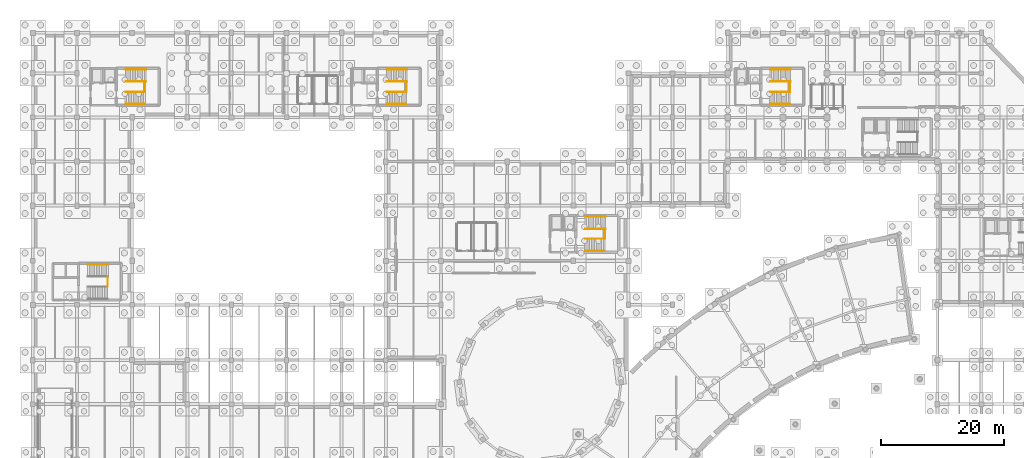
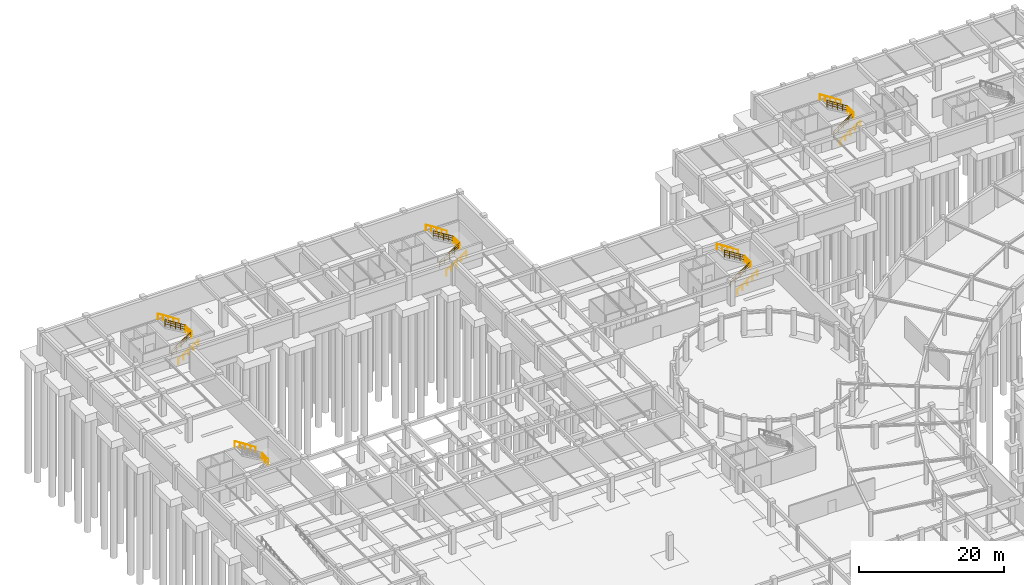
# One storey, part 40 of 42: 22 railings.
"""IFC4 building model written with IfcOpenShell, lengths in metres."""

from ifc_helpers import new_model, si_unit, direction, frame, origin, origin_2d, place, context, subcontext, project, spatial, circle, extrude, material, type_object, element, save


model = new_model("IFC4")

# Units and contexts
model_context = context("Model", 3, precision=1e-05, world=origin(), true_north=direction((0.0, 1.0)))
body_context = subcontext(model_context, "Body", "Model", "MODEL_VIEW")
ifc_project = project(units=[si_unit("LENGTHUNIT", "METRE"), si_unit("AREAUNIT", "SQUARE_METRE"), si_unit("VOLUMEUNIT", "CUBIC_METRE"), si_unit("PLANEANGLEUNIT", "RADIAN"), si_unit("MASSUNIT", "GRAM", prefix="KILO")], contexts=[model_context])

# Site, building, storey
site_placement = place(None, origin())
site = spatial("IfcSite", under=ifc_project, at=site_placement, CompositionType="ELEMENT")
building_placement = place(site_placement, origin())
building = spatial("IfcBuilding", under=site, at=building_placement, Name="Clarverna Civic Hall", CompositionType="ELEMENT")
storey_placement = place(building_placement, frame((0.0, 0.0, -4.199951171875)))
storey = spatial("IfcBuildingStorey", under=building, at=storey_placement, Name="B01", CompositionType="ELEMENT", Elevation=-4.199951171875)

# Railings
ifc_material_1 = material(Name="Anodised Bronze Architectural Balustrade")
railing_type_1 = type_object("IfcRailingType", Name="GR-02", PredefinedType="BALUSTRADE", material=ifc_material_1)
railing_1_placement = place(storey_placement, frame((90.14990234375, 82.39990234375, 0.0)))
element("IfcRailing", 1, at=railing_1_placement, inside=storey, type_object=railing_type_1, Name="GR-02-068", PredefinedType="BALUSTRADE", context=body_context, shape_type="SweptSolid", body=[
    extrude(circle(Radius=0.02392578125, at=origin_2d()), frame((0.0, 0.0, 1.09619140625), z_axis=(0.836464151043, 0.0, 0.548021645576), x_axis=(0.0, 1.0, 0.0)), (0.0, 0.0, 1.0), 3.831787109375),
    extrude(circle(Radius=0.011962890625, at=origin_2d()), frame((0.0, 0.0, 0.39208984375), z_axis=(0.836464151043, 0.0, 0.548021645576), x_axis=(0.0, 1.0, 0.0)), (0.0, 0.0, 1.0), 3.831787109375),
    extrude(circle(Radius=0.011962890625, at=origin_2d()), frame((0.0, 0.0, 0.76171875), z_axis=(0.836464151043, 0.0, 0.548021645576), x_axis=(0.0, 1.0, 0.0)), (0.0, 0.0, 1.0), 3.831787109375),
    extrude(circle(Radius=0.02099609375, at=origin_2d()), origin(), (0.0, 0.0, 1.0), 1.072021484375),
    extrude(circle(Radius=0.02099609375, at=origin_2d()), frame((0.80126953125, 0.0, 0.52490234375)), (0.0, 0.0, 1.0), 1.072021484375),
    extrude(circle(Radius=0.02099609375, at=origin_2d()), frame((1.6025390625, 0.0, 1.0498046875)), (0.0, 0.0, 1.0), 1.072021484375),
    extrude(circle(Radius=0.02099609375, at=origin_2d()), frame((2.40380859375, 0.0, 1.574951171875)), (0.0, 0.0, 1.0), 1.072021484375),
    extrude(circle(Radius=0.02099609375, at=origin_2d()), frame((3.205078125, 0.0, 2.099853515625)), (0.0, 0.0, 1.0), 1.072021484375),
])
railing_2_placement = place(storey_placement, frame((93.35498046875, 82.39990234375, 2.099853515625)))
element("IfcRailing", 2, at=railing_2_placement, inside=storey, type_object=railing_type_1, Name="GR-02-069", PredefinedType="BALUSTRADE", context=body_context, shape_type="SweptSolid", body=[
    extrude(circle(Radius=0.02392578125, at=origin_2d()), frame((0.0, 0.0, 1.09619140625), z_axis=(0.0, 1.0, 0.0), x_axis=(-1.0, 0.0, 0.0)), (0.0, 0.0, 1.0), 1.60009765625),
    extrude(circle(Radius=0.011962890625, at=origin_2d()), frame((0.0, 0.0, 0.39208984375), z_axis=(0.0, 1.0, 0.0), x_axis=(-1.0, 0.0, 0.0)), (0.0, 0.0, 1.0), 1.60009765625),
    extrude(circle(Radius=0.011962890625, at=origin_2d()), frame((0.0, 0.0, 0.76171875), z_axis=(0.0, 1.0, 0.0), x_axis=(-1.0, 0.0, 0.0)), (0.0, 0.0, 1.0), 1.60009765625),
    extrude(circle(Radius=0.02099609375, at=origin_2d()), origin(), (0.0, 0.0, 1.0), 1.072021484375),
    extrude(circle(Radius=0.02099609375, at=origin_2d()), frame((0.0, 0.800048828125, 0.0)), (0.0, 0.0, 1.0), 1.072021484375),
    extrude(circle(Radius=0.02099609375, at=origin_2d()), frame((0.0, 1.60009765625, 0.0)), (0.0, 0.0, 1.0), 1.072021484375),
])
railing_3_placement = place(storey_placement, frame((93.445068359375, 84.0, 2.099853515625)))
element("IfcRailing", 3, at=railing_3_placement, inside=storey, type_object=railing_type_1, Name="GR-02-070", PredefinedType="BALUSTRADE", context=body_context, shape_type="SweptSolid", body=[
    extrude(circle(Radius=0.02392578125, at=origin_2d()), frame((0.0, 0.0, 1.09619140625), z_axis=(-0.843293392346, 0.0, 0.537453490477), x_axis=(0.0, -1.0, 0.0)), (0.0, 0.0, 1.0), 3.907470703125),
    extrude(circle(Radius=0.011962890625, at=origin_2d()), frame((0.0, 0.0, 0.39208984375), z_axis=(-0.843293392346, 0.0, 0.537453490477), x_axis=(0.0, -1.0, 0.0)), (0.0, 0.0, 1.0), 3.907470703125),
    extrude(circle(Radius=0.011962890625, at=origin_2d()), frame((0.0, 0.0, 0.76171875), z_axis=(-0.843293392346, 0.0, 0.537453490477), x_axis=(0.0, -1.0, 0.0)), (0.0, 0.0, 1.0), 3.907470703125),
    extrude(circle(Radius=0.02099609375, at=origin_2d()), origin(), (0.0, 0.0, 1.0), 1.072021484375),
    extrude(circle(Radius=0.02099609375, at=origin_2d()), frame((-0.82373046875, 0.0, 0.52490234375)), (0.0, 0.0, 1.0), 1.072021484375),
    extrude(circle(Radius=0.02099609375, at=origin_2d()), frame((-1.6474609375, 0.0, 1.050048828125)), (0.0, 0.0, 1.0), 1.072021484375),
    extrude(circle(Radius=0.02099609375, at=origin_2d()), frame((-2.471435546875, 0.0, 1.5751953125)), (0.0, 0.0, 1.0), 1.072021484375),
    extrude(circle(Radius=0.02099609375, at=origin_2d()), frame((-3.295166015625, 0.0, 2.10009765625)), (0.0, 0.0, 1.0), 1.072021484375),
])
railing_4_placement = place(storey_placement, frame((15.14990234375, 106.360107421875, 0.0)))
element("IfcRailing", 4, at=railing_4_placement, inside=storey, type_object=railing_type_1, Name="GR-02-100", PredefinedType="BALUSTRADE", context=body_context, shape_type="SweptSolid", body=[
    extrude(circle(Radius=0.02392578125, at=origin_2d()), frame((0.0, 0.0, 1.09619140625), z_axis=(0.836464151043, 0.0, 0.548021645576), x_axis=(0.0, 1.0, 0.0)), (0.0, 0.0, 1.0), 3.831787109375),
    extrude(circle(Radius=0.011962890625, at=origin_2d()), frame((0.0, 0.0, 0.39208984375), z_axis=(0.836464151043, 0.0, 0.548021645576), x_axis=(0.0, 1.0, 0.0)), (0.0, 0.0, 1.0), 3.831787109375),
    extrude(circle(Radius=0.011962890625, at=origin_2d()), frame((0.0, 0.0, 0.76171875), z_axis=(0.836464151043, 0.0, 0.548021645576), x_axis=(0.0, 1.0, 0.0)), (0.0, 0.0, 1.0), 3.831787109375),
    extrude(circle(Radius=0.02099609375, at=origin_2d()), origin(), (0.0, 0.0, 1.0), 1.072021484375),
    extrude(circle(Radius=0.02099609375, at=origin_2d()), frame((0.80126953125, 0.0, 0.52490234375)), (0.0, 0.0, 1.0), 1.072021484375),
    extrude(circle(Radius=0.02099609375, at=origin_2d()), frame((1.6025390625, 0.0, 1.0498046875)), (0.0, 0.0, 1.0), 1.072021484375),
    extrude(circle(Radius=0.02099609375, at=origin_2d()), frame((2.40380859375, 0.0, 1.574951171875)), (0.0, 0.0, 1.0), 1.072021484375),
    extrude(circle(Radius=0.02099609375, at=origin_2d()), frame((3.205078125, 0.0, 2.099853515625)), (0.0, 0.0, 1.0), 1.072021484375),
])
railing_5_placement = place(storey_placement, frame((18.35498046875, 106.360107421875, 2.099853515625)))
element("IfcRailing", 5, at=railing_5_placement, inside=storey, type_object=railing_type_1, Name="GR-02-101", PredefinedType="BALUSTRADE", context=body_context, shape_type="SweptSolid", body=[
    extrude(circle(Radius=0.02392578125, at=origin_2d()), frame((0.0, 0.0, 1.09619140625), z_axis=(0.0, 1.0, 0.0), x_axis=(-1.0, 0.0, 0.0)), (0.0, 0.0, 1.0), 1.679931640625),
    extrude(circle(Radius=0.011962890625, at=origin_2d()), frame((0.0, 0.0, 0.39208984375), z_axis=(0.0, 1.0, 0.0), x_axis=(-1.0, 0.0, 0.0)), (0.0, 0.0, 1.0), 1.679931640625),
    extrude(circle(Radius=0.011962890625, at=origin_2d()), frame((0.0, 0.0, 0.76171875), z_axis=(0.0, 1.0, 0.0), x_axis=(-1.0, 0.0, 0.0)), (0.0, 0.0, 1.0), 1.679931640625),
    extrude(circle(Radius=0.02099609375, at=origin_2d()), origin(), (0.0, 0.0, 1.0), 1.072021484375),
    extrude(circle(Radius=0.02099609375, at=origin_2d()), frame((0.0, 0.83984375, 0.0)), (0.0, 0.0, 1.0), 1.072021484375),
    extrude(circle(Radius=0.02099609375, at=origin_2d()), frame((0.0, 1.679931640625, 0.0)), (0.0, 0.0, 1.0), 1.072021484375),
])
railing_6_placement = place(storey_placement, frame((18.445068359375, 108.0400390625, 2.099853515625)))
element("IfcRailing", 6, at=railing_6_placement, inside=storey, type_object=railing_type_1, Name="GR-02-102", PredefinedType="BALUSTRADE", context=body_context, shape_type="SweptSolid", body=[
    extrude(circle(Radius=0.02392578125, at=origin_2d()), frame((0.0, 0.0, 1.09619140625), z_axis=(-0.843293392346, 0.0, 0.537453490477), x_axis=(0.0, -1.0, 0.0)), (0.0, 0.0, 1.0), 3.907470703125),
    extrude(circle(Radius=0.011962890625, at=origin_2d()), frame((0.0, 0.0, 0.39208984375), z_axis=(-0.843293392346, 0.0, 0.537453490477), x_axis=(0.0, -1.0, 0.0)), (0.0, 0.0, 1.0), 3.907470703125),
    extrude(circle(Radius=0.011962890625, at=origin_2d()), frame((0.0, 0.0, 0.76171875), z_axis=(-0.843293392346, 0.0, 0.537453490477), x_axis=(0.0, -1.0, 0.0)), (0.0, 0.0, 1.0), 3.907470703125),
    extrude(circle(Radius=0.02099609375, at=origin_2d()), origin(), (0.0, 0.0, 1.0), 1.072021484375),
    extrude(circle(Radius=0.02099609375, at=origin_2d()), frame((-0.82373046875, 0.0, 0.52490234375)), (0.0, 0.0, 1.0), 1.072021484375),
    extrude(circle(Radius=0.02099609375, at=origin_2d()), frame((-1.6474609375, 0.0, 1.050048828125)), (0.0, 0.0, 1.0), 1.072021484375),
    extrude(circle(Radius=0.02099609375, at=origin_2d()), frame((-2.471435546875, 0.0, 1.5751953125)), (0.0, 0.0, 1.0), 1.072021484375),
    extrude(circle(Radius=0.02099609375, at=origin_2d()), frame((-3.295166015625, 0.0, 2.10009765625)), (0.0, 0.0, 1.0), 1.072021484375),
])
railing_7_placement = place(storey_placement, frame((120.35009765625, 106.360107421875, 0.0)))
element("IfcRailing", 7, at=railing_7_placement, inside=storey, type_object=railing_type_1, Name="GR-02-152", PredefinedType="BALUSTRADE", context=body_context, shape_type="SweptSolid", body=[
    extrude(circle(Radius=0.02392578125, at=origin_2d()), frame((0.0, 0.0, 1.09619140625), z_axis=(0.83644501382, 0.0, 0.54805085426), x_axis=(0.0, 1.0, 0.0)), (0.0, 0.0, 1.0), 3.83154296875),
    extrude(circle(Radius=0.011962890625, at=origin_2d()), frame((0.0, 0.0, 0.39208984375), z_axis=(0.83644501382, 0.0, 0.54805085426), x_axis=(0.0, 1.0, 0.0)), (0.0, 0.0, 1.0), 3.83154296875),
    extrude(circle(Radius=0.011962890625, at=origin_2d()), frame((0.0, 0.0, 0.76171875), z_axis=(0.83644501382, 0.0, 0.54805085426), x_axis=(0.0, 1.0, 0.0)), (0.0, 0.0, 1.0), 3.83154296875),
    extrude(circle(Radius=0.02099609375, at=origin_2d()), origin(), (0.0, 0.0, 1.0), 1.072021484375),
    extrude(circle(Radius=0.02099609375, at=origin_2d()), frame((0.80126953125, 0.0, 0.52490234375)), (0.0, 0.0, 1.0), 1.072021484375),
    extrude(circle(Radius=0.02099609375, at=origin_2d()), frame((1.6025390625, 0.0, 1.0498046875)), (0.0, 0.0, 1.0), 1.072021484375),
    extrude(circle(Radius=0.02099609375, at=origin_2d()), frame((2.403564453125, 0.0, 1.574951171875)), (0.0, 0.0, 1.0), 1.072021484375),
    extrude(circle(Radius=0.02099609375, at=origin_2d()), frame((3.204833984375, 0.0, 2.099853515625)), (0.0, 0.0, 1.0), 1.072021484375),
])
railing_8_placement = place(storey_placement, frame((123.554931640625, 106.360107421875, 2.099853515625)))
element("IfcRailing", 8, at=railing_8_placement, inside=storey, type_object=railing_type_1, Name="GR-02-153", PredefinedType="BALUSTRADE", context=body_context, shape_type="SweptSolid", body=[
    extrude(circle(Radius=0.02392578125, at=origin_2d()), frame((0.0, 0.0, 1.09619140625), z_axis=(0.0, 1.0, 0.0), x_axis=(-1.0, 0.0, 0.0)), (0.0, 0.0, 1.0), 1.679931640625),
    extrude(circle(Radius=0.011962890625, at=origin_2d()), frame((0.0, 0.0, 0.39208984375), z_axis=(0.0, 1.0, 0.0), x_axis=(-1.0, 0.0, 0.0)), (0.0, 0.0, 1.0), 1.679931640625),
    extrude(circle(Radius=0.011962890625, at=origin_2d()), frame((0.0, 0.0, 0.76171875), z_axis=(0.0, 1.0, 0.0), x_axis=(-1.0, 0.0, 0.0)), (0.0, 0.0, 1.0), 1.679931640625),
    extrude(circle(Radius=0.02099609375, at=origin_2d()), origin(), (0.0, 0.0, 1.0), 1.072021484375),
    extrude(circle(Radius=0.02099609375, at=origin_2d()), frame((0.0, 0.83984375, 0.0)), (0.0, 0.0, 1.0), 1.072021484375),
    extrude(circle(Radius=0.02099609375, at=origin_2d()), frame((0.0, 1.679931640625, 0.0)), (0.0, 0.0, 1.0), 1.072021484375),
])
railing_9_placement = place(storey_placement, frame((123.64501953125, 108.0400390625, 2.099853515625)))
element("IfcRailing", 9, at=railing_9_placement, inside=storey, type_object=railing_type_1, Name="GR-02-154", PredefinedType="BALUSTRADE", context=body_context, shape_type="SweptSolid", body=[
    extrude(circle(Radius=0.02392578125, at=origin_2d()), frame((0.0, 0.0, 1.09619140625), z_axis=(-0.843275343163, 0.0, 0.537481809565), x_axis=(0.0, -1.0, 0.0)), (0.0, 0.0, 1.0), 3.9072265625),
    extrude(circle(Radius=0.011962890625, at=origin_2d()), frame((0.0, 0.0, 0.39208984375), z_axis=(-0.843275343163, 0.0, 0.537481809565), x_axis=(0.0, -1.0, 0.0)), (0.0, 0.0, 1.0), 3.9072265625),
    extrude(circle(Radius=0.011962890625, at=origin_2d()), frame((0.0, 0.0, 0.76171875), z_axis=(-0.843275343163, 0.0, 0.537481809565), x_axis=(0.0, -1.0, 0.0)), (0.0, 0.0, 1.0), 3.9072265625),
    extrude(circle(Radius=0.02099609375, at=origin_2d()), origin(), (0.0, 0.0, 1.0), 1.072021484375),
    extrude(circle(Radius=0.02099609375, at=origin_2d()), frame((-0.82373046875, 0.0, 0.52490234375)), (0.0, 0.0, 1.0), 1.072021484375),
    extrude(circle(Radius=0.02099609375, at=origin_2d()), frame((-1.6474609375, 0.0, 1.050048828125)), (0.0, 0.0, 1.0), 1.072021484375),
    extrude(circle(Radius=0.02099609375, at=origin_2d()), frame((-2.47119140625, 0.0, 1.5751953125)), (0.0, 0.0, 1.0), 1.072021484375),
    extrude(circle(Radius=0.02099609375, at=origin_2d()), frame((-3.294921875, 0.0, 2.10009765625)), (0.0, 0.0, 1.0), 1.072021484375),
])
railing_10_placement = place(storey_placement, frame((57.75, 106.360107421875, 0.0)))
element("IfcRailing", 10, at=railing_10_placement, inside=storey, type_object=railing_type_1, Name="GR-02-176", PredefinedType="BALUSTRADE", context=body_context, shape_type="SweptSolid", body=[
    extrude(circle(Radius=0.02392578125, at=origin_2d()), frame((0.0, 0.0, 1.09619140625), z_axis=(0.836464151043, 0.0, 0.548021645576), x_axis=(0.0, 1.0, 0.0)), (0.0, 0.0, 1.0), 3.831787109375),
    extrude(circle(Radius=0.011962890625, at=origin_2d()), frame((0.0, 0.0, 0.39208984375), z_axis=(0.836464151043, 0.0, 0.548021645576), x_axis=(0.0, 1.0, 0.0)), (0.0, 0.0, 1.0), 3.831787109375),
    extrude(circle(Radius=0.011962890625, at=origin_2d()), frame((0.0, 0.0, 0.76171875), z_axis=(0.836464151043, 0.0, 0.548021645576), x_axis=(0.0, 1.0, 0.0)), (0.0, 0.0, 1.0), 3.831787109375),
    extrude(circle(Radius=0.02099609375, at=origin_2d()), origin(), (0.0, 0.0, 1.0), 1.072021484375),
    extrude(circle(Radius=0.02099609375, at=origin_2d()), frame((0.80126953125, 0.0, 0.52490234375)), (0.0, 0.0, 1.0), 1.072021484375),
    extrude(circle(Radius=0.02099609375, at=origin_2d()), frame((1.6025390625, 0.0, 1.0498046875)), (0.0, 0.0, 1.0), 1.072021484375),
    extrude(circle(Radius=0.02099609375, at=origin_2d()), frame((2.40380859375, 0.0, 1.574951171875)), (0.0, 0.0, 1.0), 1.072021484375),
    extrude(circle(Radius=0.02099609375, at=origin_2d()), frame((3.205078125, 0.0, 2.099853515625)), (0.0, 0.0, 1.0), 1.072021484375),
])
railing_11_placement = place(storey_placement, frame((60.955078125, 106.360107421875, 2.099853515625)))
element("IfcRailing", 11, at=railing_11_placement, inside=storey, type_object=railing_type_1, Name="GR-02-177", PredefinedType="BALUSTRADE", context=body_context, shape_type="SweptSolid", body=[
    extrude(circle(Radius=0.02392578125, at=origin_2d()), frame((0.0, 0.0, 1.09619140625), z_axis=(0.0, 1.0, 0.0), x_axis=(-1.0, 0.0, 0.0)), (0.0, 0.0, 1.0), 1.679931640625),
    extrude(circle(Radius=0.011962890625, at=origin_2d()), frame((0.0, 0.0, 0.39208984375), z_axis=(0.0, 1.0, 0.0), x_axis=(-1.0, 0.0, 0.0)), (0.0, 0.0, 1.0), 1.679931640625),
    extrude(circle(Radius=0.011962890625, at=origin_2d()), frame((0.0, 0.0, 0.76171875), z_axis=(0.0, 1.0, 0.0), x_axis=(-1.0, 0.0, 0.0)), (0.0, 0.0, 1.0), 1.679931640625),
    extrude(circle(Radius=0.02099609375, at=origin_2d()), origin(), (0.0, 0.0, 1.0), 1.072021484375),
    extrude(circle(Radius=0.02099609375, at=origin_2d()), frame((0.0, 0.83984375, 0.0)), (0.0, 0.0, 1.0), 1.072021484375),
    extrude(circle(Radius=0.02099609375, at=origin_2d()), frame((0.0, 1.679931640625, 0.0)), (0.0, 0.0, 1.0), 1.072021484375),
])
railing_12_placement = place(storey_placement, frame((61.044921875, 108.0400390625, 2.099853515625)))
element("IfcRailing", 12, at=railing_12_placement, inside=storey, type_object=railing_type_1, Name="GR-02-178", PredefinedType="BALUSTRADE", context=body_context, shape_type="SweptSolid", body=[
    extrude(circle(Radius=0.02392578125, at=origin_2d()), frame((0.0, 0.0, 1.09619140625), z_axis=(-0.843275343163, 0.0, 0.537481809565), x_axis=(0.0, -1.0, 0.0)), (0.0, 0.0, 1.0), 3.9072265625),
    extrude(circle(Radius=0.011962890625, at=origin_2d()), frame((0.0, 0.0, 0.39208984375), z_axis=(-0.843275343163, 0.0, 0.537481809565), x_axis=(0.0, -1.0, 0.0)), (0.0, 0.0, 1.0), 3.9072265625),
    extrude(circle(Radius=0.011962890625, at=origin_2d()), frame((0.0, 0.0, 0.76171875), z_axis=(-0.843275343163, 0.0, 0.537481809565), x_axis=(0.0, -1.0, 0.0)), (0.0, 0.0, 1.0), 3.9072265625),
    extrude(circle(Radius=0.02099609375, at=origin_2d()), origin(), (0.0, 0.0, 1.0), 1.072021484375),
    extrude(circle(Radius=0.02099609375, at=origin_2d()), frame((-0.82373046875, 0.0, 0.52490234375)), (0.0, 0.0, 1.0), 1.072021484375),
    extrude(circle(Radius=0.02099609375, at=origin_2d()), frame((-1.6474609375, 0.0, 1.050048828125)), (0.0, 0.0, 1.0), 1.072021484375),
    extrude(circle(Radius=0.02099609375, at=origin_2d()), frame((-2.47119140625, 0.0, 1.5751953125)), (0.0, 0.0, 1.0), 1.072021484375),
    extrude(circle(Radius=0.02099609375, at=origin_2d()), frame((-3.294921875, 0.0, 2.10009765625)), (0.0, 0.0, 1.0), 1.072021484375),
])
railing_13_placement = place(storey_placement, frame((12.205078125, 74.56005859375, 2.099853515625)))
element("IfcRailing", 13, at=railing_13_placement, inside=storey, type_object=railing_type_1, Name="GR-02-197", PredefinedType="BALUSTRADE", context=body_context, shape_type="SweptSolid", body=[
    extrude(circle(Radius=0.02392578125, at=origin_2d()), frame((0.0, 0.0, 1.09619140625), z_axis=(0.0, 1.0, 0.0), x_axis=(-1.0, 0.0, 0.0)), (0.0, 0.0, 1.0), 1.679931640625),
    extrude(circle(Radius=0.011962890625, at=origin_2d()), frame((0.0, 0.0, 0.39208984375), z_axis=(0.0, 1.0, 0.0), x_axis=(-1.0, 0.0, 0.0)), (0.0, 0.0, 1.0), 1.679931640625),
    extrude(circle(Radius=0.011962890625, at=origin_2d()), frame((0.0, 0.0, 0.76171875), z_axis=(0.0, 1.0, 0.0), x_axis=(-1.0, 0.0, 0.0)), (0.0, 0.0, 1.0), 1.679931640625),
    extrude(circle(Radius=0.02099609375, at=origin_2d()), origin(), (0.0, 0.0, 1.0), 1.072021484375),
    extrude(circle(Radius=0.02099609375, at=origin_2d()), frame((0.0, 0.83984375, 0.0)), (0.0, 0.0, 1.0), 1.072021484375),
    extrude(circle(Radius=0.02099609375, at=origin_2d()), frame((0.0, 1.679931640625, 0.0)), (0.0, 0.0, 1.0), 1.072021484375),
])
ifc_material_2 = material(Name="Anodised Bronze Continuous Handrail")
railing_type_2 = type_object("IfcRailingType", Name="HR-01", PredefinedType="HANDRAIL", material=ifc_material_2)
railing_14_placement = place(storey_placement, frame((90.14990234375, 80.3798828125, 0.0)))
element("IfcRailing", 14, at=railing_14_placement, inside=storey, type_object=railing_type_2, Name="HR-01-033", PredefinedType="HANDRAIL", context=body_context, shape_type="SweptSolid", body=[
    extrude(circle(Radius=0.02392578125, at=origin_2d()), frame((0.0, 0.0, 0.89599609375), z_axis=(0.835291159344, 0.0, 0.549807856548), x_axis=(0.0, 1.0, 0.0)), (0.0, 0.0, 1.0), 3.8193359375),
    extrude(circle(Radius=0.02099609375, at=origin_2d()), origin(), (0.0, 0.0, 1.0), 0.871826171875),
    extrude(circle(Radius=0.02099609375, at=origin_2d()), frame((0.797607421875, 0.0, 0.52490234375)), (0.0, 0.0, 1.0), 0.871826171875),
    extrude(circle(Radius=0.02099609375, at=origin_2d()), frame((1.59521484375, 0.0, 1.0498046875)), (0.0, 0.0, 1.0), 0.871826171875),
    extrude(circle(Radius=0.02099609375, at=origin_2d()), frame((2.392578125, 0.0, 1.574951171875)), (0.0, 0.0, 1.0), 0.871826171875),
    extrude(circle(Radius=0.02099609375, at=origin_2d()), frame((3.190185546875, 0.0, 2.099853515625)), (0.0, 0.0, 1.0), 0.871826171875),
])
railing_15_placement = place(storey_placement, frame((93.4599609375, 86.02001953125, 2.099853515625)))
element("IfcRailing", 15, at=railing_15_placement, inside=storey, type_object=railing_type_2, Name="HR-01-034", PredefinedType="HANDRAIL", context=body_context, shape_type="SweptSolid", body=[
    extrude(circle(Radius=0.02392578125, at=origin_2d()), frame((0.0, 0.0, 0.89599609375), z_axis=(-0.844389018317, 0.0, 0.535730515973), x_axis=(0.0, -1.0, 0.0)), (0.0, 0.0, 1.0), 3.920166015625),
    extrude(circle(Radius=0.02099609375, at=origin_2d()), origin(), (0.0, 0.0, 1.0), 0.871826171875),
    extrude(circle(Radius=0.02099609375, at=origin_2d()), frame((-0.82763671875, 0.0, 0.52490234375)), (0.0, 0.0, 1.0), 0.871826171875),
    extrude(circle(Radius=0.02099609375, at=origin_2d()), frame((-1.655029296875, 0.0, 1.050048828125)), (0.0, 0.0, 1.0), 0.871826171875),
    extrude(circle(Radius=0.02099609375, at=origin_2d()), frame((-2.482421875, 0.0, 1.5751953125)), (0.0, 0.0, 1.0), 0.871826171875),
    extrude(circle(Radius=0.02099609375, at=origin_2d()), frame((-3.31005859375, 0.0, 2.10009765625)), (0.0, 0.0, 1.0), 0.871826171875),
])
railing_16_placement = place(storey_placement, frame((15.14990234375, 104.3798828125, 0.0)))
element("IfcRailing", 16, at=railing_16_placement, inside=storey, type_object=railing_type_2, Name="HR-01-049", PredefinedType="HANDRAIL", context=body_context, shape_type="SweptSolid", body=[
    extrude(circle(Radius=0.02392578125, at=origin_2d()), frame((0.0, 0.0, 0.89599609375), z_axis=(0.835291159344, 0.0, 0.549807856548), x_axis=(0.0, 1.0, 0.0)), (0.0, 0.0, 1.0), 3.8193359375),
    extrude(circle(Radius=0.02099609375, at=origin_2d()), origin(), (0.0, 0.0, 1.0), 0.871826171875),
    extrude(circle(Radius=0.02099609375, at=origin_2d()), frame((0.797607421875, 0.0, 0.52490234375)), (0.0, 0.0, 1.0), 0.871826171875),
    extrude(circle(Radius=0.02099609375, at=origin_2d()), frame((1.59521484375, 0.0, 1.0498046875)), (0.0, 0.0, 1.0), 0.871826171875),
    extrude(circle(Radius=0.02099609375, at=origin_2d()), frame((2.392578125, 0.0, 1.574951171875)), (0.0, 0.0, 1.0), 0.871826171875),
    extrude(circle(Radius=0.02099609375, at=origin_2d()), frame((3.190185546875, 0.0, 2.099853515625)), (0.0, 0.0, 1.0), 0.871826171875),
])
railing_17_placement = place(storey_placement, frame((18.4599609375, 110.02001953125, 2.099853515625)))
element("IfcRailing", 17, at=railing_17_placement, inside=storey, type_object=railing_type_2, Name="HR-01-050", PredefinedType="HANDRAIL", context=body_context, shape_type="SweptSolid", body=[
    extrude(circle(Radius=0.02392578125, at=origin_2d()), frame((0.0, 0.0, 0.89599609375), z_axis=(-0.844389018317, 0.0, 0.535730515973), x_axis=(0.0, -1.0, 0.0)), (0.0, 0.0, 1.0), 3.920166015625),
    extrude(circle(Radius=0.02099609375, at=origin_2d()), origin(), (0.0, 0.0, 1.0), 0.871826171875),
    extrude(circle(Radius=0.02099609375, at=origin_2d()), frame((-0.82763671875, 0.0, 0.52490234375)), (0.0, 0.0, 1.0), 0.871826171875),
    extrude(circle(Radius=0.02099609375, at=origin_2d()), frame((-1.655029296875, 0.0, 1.050048828125)), (0.0, 0.0, 1.0), 0.871826171875),
    extrude(circle(Radius=0.02099609375, at=origin_2d()), frame((-2.482421875, 0.0, 1.5751953125)), (0.0, 0.0, 1.0), 0.871826171875),
    extrude(circle(Radius=0.02099609375, at=origin_2d()), frame((-3.31005859375, 0.0, 2.10009765625)), (0.0, 0.0, 1.0), 0.871826171875),
])
railing_18_placement = place(storey_placement, frame((120.35009765625, 104.3798828125, 0.0)))
element("IfcRailing", 18, at=railing_18_placement, inside=storey, type_object=railing_type_2, Name="HR-01-075", PredefinedType="HANDRAIL", context=body_context, shape_type="SweptSolid", body=[
    extrude(circle(Radius=0.02392578125, at=origin_2d()), frame((0.0, 0.0, 0.89599609375), z_axis=(0.835271834381, 0.0, 0.549837214719), x_axis=(0.0, 1.0, 0.0)), (0.0, 0.0, 1.0), 3.819091796875),
    extrude(circle(Radius=0.02099609375, at=origin_2d()), origin(), (0.0, 0.0, 1.0), 0.871826171875),
    extrude(circle(Radius=0.02099609375, at=origin_2d()), frame((0.79736328125, 0.0, 0.52490234375)), (0.0, 0.0, 1.0), 0.871826171875),
    extrude(circle(Radius=0.02099609375, at=origin_2d()), frame((1.594970703125, 0.0, 1.0498046875)), (0.0, 0.0, 1.0), 0.871826171875),
    extrude(circle(Radius=0.02099609375, at=origin_2d()), frame((2.392578125, 0.0, 1.574951171875)), (0.0, 0.0, 1.0), 0.871826171875),
    extrude(circle(Radius=0.02099609375, at=origin_2d()), frame((3.18994140625, 0.0, 2.099853515625)), (0.0, 0.0, 1.0), 0.871826171875),
])
railing_19_placement = place(storey_placement, frame((123.659912109375, 110.02001953125, 2.099853515625)))
element("IfcRailing", 19, at=railing_19_placement, inside=storey, type_object=railing_type_2, Name="HR-01-076", PredefinedType="HANDRAIL", context=body_context, shape_type="SweptSolid", body=[
    extrude(circle(Radius=0.02392578125, at=origin_2d()), frame((0.0, 0.0, 0.89599609375), z_axis=(-0.844371142168, 0.0, 0.535758690339), x_axis=(0.0, -1.0, 0.0)), (0.0, 0.0, 1.0), 3.919921875),
    extrude(circle(Radius=0.02099609375, at=origin_2d()), origin(), (0.0, 0.0, 1.0), 0.871826171875),
    extrude(circle(Radius=0.02099609375, at=origin_2d()), frame((-0.827392578125, 0.0, 0.52490234375)), (0.0, 0.0, 1.0), 0.871826171875),
    extrude(circle(Radius=0.02099609375, at=origin_2d()), frame((-1.65478515625, 0.0, 1.050048828125)), (0.0, 0.0, 1.0), 0.871826171875),
    extrude(circle(Radius=0.02099609375, at=origin_2d()), frame((-2.482421875, 0.0, 1.5751953125)), (0.0, 0.0, 1.0), 0.871826171875),
    extrude(circle(Radius=0.02099609375, at=origin_2d()), frame((-3.309814453125, 0.0, 2.10009765625)), (0.0, 0.0, 1.0), 0.871826171875),
])
railing_20_placement = place(storey_placement, frame((57.75, 104.3798828125, 0.0)))
element("IfcRailing", 20, at=railing_20_placement, inside=storey, type_object=railing_type_2, Name="HR-01-087", PredefinedType="HANDRAIL", context=body_context, shape_type="SweptSolid", body=[
    extrude(circle(Radius=0.02392578125, at=origin_2d()), frame((0.0, 0.0, 0.89599609375), z_axis=(0.835271834381, 0.0, 0.549837214719), x_axis=(0.0, 1.0, 0.0)), (0.0, 0.0, 1.0), 3.819091796875),
    extrude(circle(Radius=0.02099609375, at=origin_2d()), origin(), (0.0, 0.0, 1.0), 0.871826171875),
    extrude(circle(Radius=0.02099609375, at=origin_2d()), frame((0.79736328125, 0.0, 0.52490234375)), (0.0, 0.0, 1.0), 0.871826171875),
    extrude(circle(Radius=0.02099609375, at=origin_2d()), frame((1.594970703125, 0.0, 1.0498046875)), (0.0, 0.0, 1.0), 0.871826171875),
    extrude(circle(Radius=0.02099609375, at=origin_2d()), frame((2.392578125, 0.0, 1.574951171875)), (0.0, 0.0, 1.0), 0.871826171875),
    extrude(circle(Radius=0.02099609375, at=origin_2d()), frame((3.18994140625, 0.0, 2.099853515625)), (0.0, 0.0, 1.0), 0.871826171875),
])
for number, where, name in (
    (21, (61.06005859375, 110.02001953125, 2.099853515625), "HR-01-088"),
    (22, (12.31005859375, 78.219970703125, 2.099853515625), "HR-01-098"),
):
    element("IfcRailing", number, at=place(storey_placement, frame(where)), inside=storey, type_object=railing_type_2, Name=name, PredefinedType="HANDRAIL", context=body_context, shape_type="SweptSolid", body=[
        extrude(circle(Radius=0.02392578125, at=origin_2d()), frame((0.0, 0.0, 0.89599609375), z_axis=(-0.844389018317, 0.0, 0.535730515973), x_axis=(0.0, -1.0, 0.0)), (0.0, 0.0, 1.0), 3.920166015625),
        extrude(circle(Radius=0.02099609375, at=origin_2d()), origin(), (0.0, 0.0, 1.0), 0.871826171875),
        extrude(circle(Radius=0.02099609375, at=origin_2d()), frame((-0.82763671875, 0.0, 0.52490234375)), (0.0, 0.0, 1.0), 0.871826171875),
        extrude(circle(Radius=0.02099609375, at=origin_2d()), frame((-1.655029296875, 0.0, 1.050048828125)), (0.0, 0.0, 1.0), 0.871826171875),
        extrude(circle(Radius=0.02099609375, at=origin_2d()), frame((-2.482421875, 0.0, 1.5751953125)), (0.0, 0.0, 1.0), 0.871826171875),
        extrude(circle(Radius=0.02099609375, at=origin_2d()), frame((-3.31005859375, 0.0, 2.10009765625)), (0.0, 0.0, 1.0), 0.871826171875),
    ])

save(model, "model.ifc")
